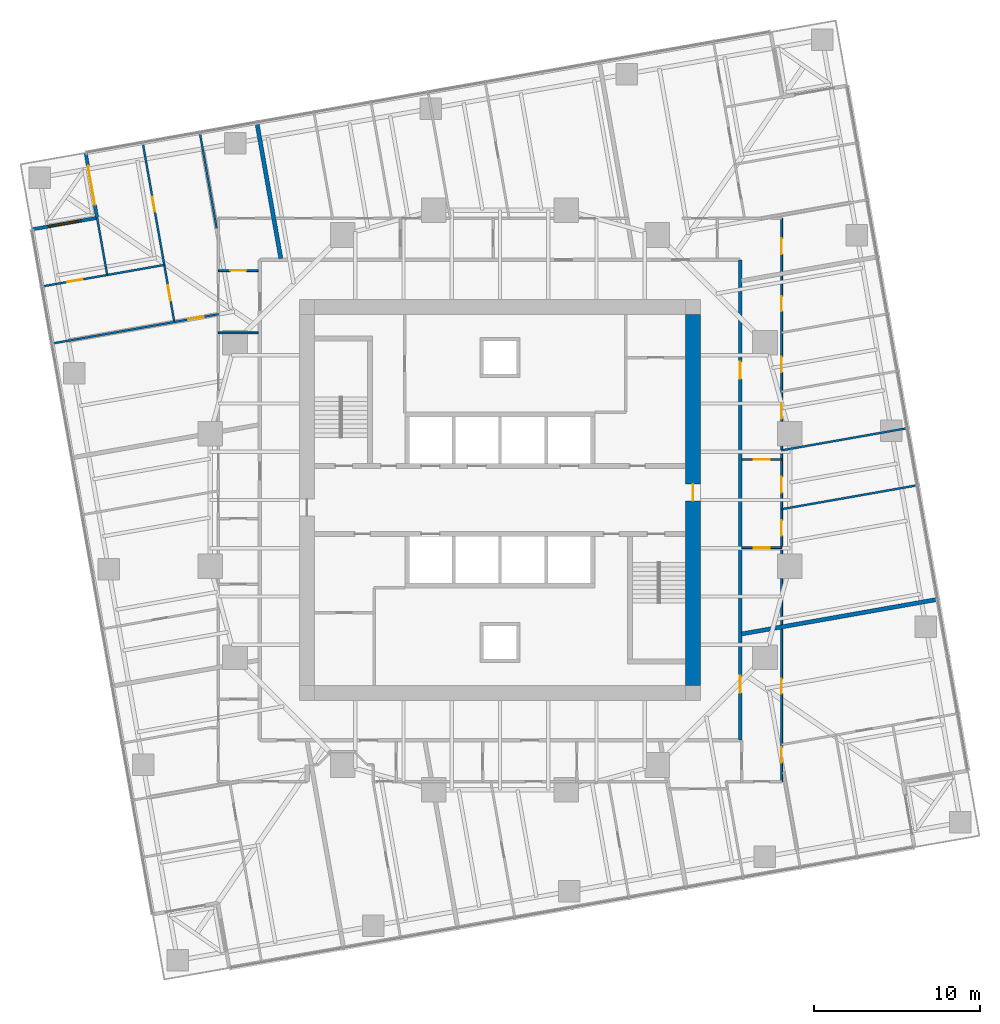
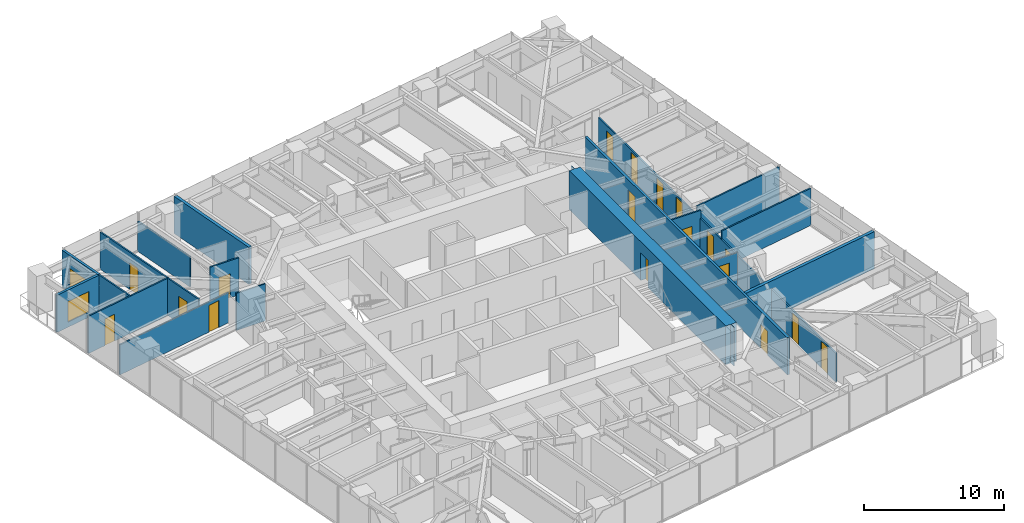
# One storey, part 11 of 14: 19 doors, 18 walls, 1 window, 20 openings.
"""IFC4 building model written with IfcOpenShell, lengths in metres."""

from ifc_helpers import new_model, si_unit, direction, frame, frame_2d, origin, place, context, subcontext, project, spatial, polyline, rectangle, outline, extrude, material, layer, layer_set, type_object, element, fill, save


model = new_model("IFC4")

# Units and contexts
model_context = context("Model", 3, precision=1e-05, world=origin(), true_north=direction((0.0, 1.0)))
body_context = subcontext(model_context, "Body", "Model", "MODEL_VIEW")
ifc_project = project(units=[si_unit("LENGTHUNIT", "METRE"), si_unit("AREAUNIT", "SQUARE_METRE"), si_unit("VOLUMEUNIT", "CUBIC_METRE"), si_unit("PLANEANGLEUNIT", "RADIAN"), si_unit("MASSUNIT", "GRAM", prefix="KILO")], contexts=[model_context])

# Site, building, storey
site_placement = place(None, origin())
site = spatial("IfcSite", under=ifc_project, at=site_placement, CompositionType="ELEMENT")
building_placement = place(site_placement, origin())
building = spatial("IfcBuilding", under=site, at=building_placement, Name="Torsade Residences", CompositionType="ELEMENT")
storey_placement = place(building_placement, frame((0.0, 0.0, 82.800048828125)))
storey = spatial("IfcBuildingStorey", under=building, at=storey_placement, Name="L22", CompositionType="ELEMENT", Elevation=82.800048828125)

# Wall, opening, door
ifc_material_1 = material(Name="Concrete 80 MPa", Category="concrete")
ifc_layer_1 = layer(ifc_material_1, 0.89990234375)
ifc_layer_set_1 = layer_set([ifc_layer_1], Name="Concrete 80 MPa")
wall_type_1 = type_object("IfcWallType", Name="CORE WALL 900", PredefinedType="SHEAR", material=ifc_layer_set_1)
wall_1_placement = place(storey_placement, frame((51.64990234375, 18.800048828125, 0.0), z_axis=(0.0, 0.0, 1.0), x_axis=(0.0, 1.0, 0.0)))
wall_1 = element("IfcWall", 1, at=wall_1_placement, inside=storey, type_object=wall_type_1, Name="Core wall E L22", PredefinedType="SHEAR", context=body_context, shape_type="SweptSolid", body=[
    extrude(outline(polyline([(0.0, -0.449951171875), (22.39990234375, -0.449951171875), (22.39990234375, -0.02490234375), (22.849853515625, -0.02490234375), (22.849853515625, 0.02490234375), (22.39990234375, 0.02490234375), (22.39990234375, 0.449951171875), (0.0, 0.449951171875), (0.0, 0.02490234375), (-0.449951171875, 0.02490234375), (-0.449951171875, -0.02490234375), (0.0, -0.02490234375), (0.0, -0.449951171875)])), origin(), (0.0, 0.0, 1.0), 3.39990234375),
])
opening_1_placement = place(wall_1_placement, frame((11.139892578125, 0.0, 0.0)))
opening_1 = element("IfcOpeningElement", 2, at=opening_1_placement, cuts=wall_1, Name="Opening D04", PredefinedType="OPENING", context=body_context, shape_type="SweptSolid", body=[
    extrude(rectangle(XDim=1.02001953125, YDim=2.39990234375, at=frame_2d((0.510009765625, 1.199951171875))), frame((0.0, 0.4599609375, 0.0), z_axis=(0.0, -1.0, 0.0), x_axis=(1.0, 0.0, 0.0)), (0.0, 0.0, 1.0), 0.919921875),
])
ifc_material_2 = material(Name="Steel-framed fire door", Category="steel")
door_type_1 = type_object("IfcDoorType", Name="LOBBY SMOKE DOOR 1020x2400", OperationType="NOTDEFINED", PredefinedType="DOOR", material=ifc_material_2)
door_1_placement = place(opening_1_placement, origin())
door_1 = element("IfcDoor", 3, at=door_1_placement, inside=storey, type_object=door_type_1, Name="Lift lobby door E L22", OperationType="SINGLE_SWING_LEFT", OverallHeight=2.39990234375, OverallWidth=1.02001953125, PredefinedType="DOOR", context=body_context, shape_type="SweptSolid", body=[
    extrude(rectangle(XDim=1.02001953125, YDim=2.39990234375, at=frame_2d((0.510009765625, 1.199951171875))), frame((0.0, 0.02490234375, 0.0), z_axis=(0.0, -1.0, 0.0), x_axis=(1.0, 0.0, 0.0)), (0.0, 0.0, 1.0), 0.050048828125),
])
fill(opening_1, door_1)

# Wall, openings, doors
ifc_material_3 = material(Name="Plasterboard on steel stud", Category="steel")
ifc_layer_2 = layer(ifc_material_3, 0.199951171875)
ifc_layer_set_2 = layer_set([ifc_layer_2], Name="Plasterboard on steel stud")
wall_type_2 = type_object("IfcWallType", Name="CORRIDOR WALL 200", PredefinedType="PARTITIONING", material=ifc_layer_set_2)
wall_2_placement = place(storey_placement, frame((54.5, 15.5, 0.0), z_axis=(0.0, 0.0, 1.0), x_axis=(0.0, 1.0, 0.0)))
wall_2 = element("IfcWall", 4, at=wall_2_placement, inside=storey, type_object=wall_type_2, Name="Corridor wall L22", PredefinedType="PARTITIONING", context=body_context, shape_type="SweptSolid", body=[
    extrude(rectangle(XDim=29.0, YDim=0.199951171875, at=frame_2d((14.5, 0.0))), origin(), (0.0, 0.0, 1.0), 3.25),
])
opening_2_placement = place(wall_2_placement, frame((21.8154296875, 0.0, 0.0)))
opening_2 = element("IfcOpeningElement", 5, at=opening_2_placement, cuts=wall_2, Name="Opening D01", PredefinedType="OPENING", context=body_context, shape_type="SweptSolid", body=[
    extrude(rectangle(XDim=1.02001953125, YDim=2.340087890625, at=frame_2d((0.510009765625, 1.169921875))), frame((0.0, 0.10986328125, 0.0), z_axis=(0.0, -1.0, 0.0), x_axis=(1.0, 0.0, 0.0)), (0.0, 0.0, 1.0), 0.219970703125),
])
opening_3_placement = place(wall_2_placement, frame((2.85546875, 0.0, 0.0)))
opening_3 = element("IfcOpeningElement", 6, at=opening_3_placement, cuts=wall_2, Name="Opening D01L", PredefinedType="OPENING", context=body_context, shape_type="SweptSolid", body=[
    extrude(rectangle(XDim=1.02001953125, YDim=2.10009765625, at=frame_2d((0.510009765625, 1.050048828125))), frame((0.0, 0.10986328125, 0.0), z_axis=(0.0, -1.0, 0.0), x_axis=(1.0, 0.0, 0.0)), (0.0, 0.0, 1.0), 0.219970703125),
])
ifc_material_4 = material(Name="Solid-core timber fire door", Category="wood")
door_type_2 = type_object("IfcDoorType", Name="APARTMENT ENTRY DOOR 1020x2100", OperationType="NOTDEFINED", PredefinedType="DOOR", material=ifc_material_4)
door_2_placement = place(opening_3_placement, origin())
door_2 = element("IfcDoor", 7, at=door_2_placement, inside=storey, type_object=door_type_2, Name="Door Residential corridor to Kitchen and dining", OperationType="SINGLE_SWING_LEFT", OverallHeight=2.10009765625, OverallWidth=1.02001953125, PredefinedType="DOOR", context=body_context, shape_type="SweptSolid", body=[
    extrude(rectangle(XDim=1.02001953125, YDim=2.10009765625, at=frame_2d((0.510009765625, 1.050048828125))), frame((0.0, 0.02490234375, 0.0), z_axis=(0.0, -1.0, 0.0), x_axis=(1.0, 0.0, 0.0)), (0.0, 0.0, 1.0), 0.050048828125),
])
fill(opening_3, door_2)
ifc_material_5 = material(Name="Solid-core timber fire door", Category="wood")
door_type_3 = type_object("IfcDoorType", Name="APARTMENT ENTRY DOOR 1020x2340", OperationType="NOTDEFINED", PredefinedType="DOOR", material=ifc_material_5)
door_3_placement = place(opening_2_placement, origin())
door_3 = element("IfcDoor", 8, at=door_3_placement, inside=storey, type_object=door_type_3, Name="Door Residential corridor to Kitchen and dining", OperationType="SINGLE_SWING_LEFT", OverallHeight=2.340087890625, OverallWidth=1.02001953125, PredefinedType="DOOR", context=body_context, shape_type="SweptSolid", body=[
    extrude(rectangle(XDim=1.02001953125, YDim=2.340087890625, at=frame_2d((0.510009765625, 1.169921875))), frame((0.0, 0.02490234375, 0.0), z_axis=(0.0, -1.0, 0.0), x_axis=(1.0, 0.0, 0.0)), (0.0, 0.0, 1.0), 0.050048828125),
])
fill(opening_2, door_3)

ifc_material_6 = material(Name="Plasterboard on steel stud", Category="steel")
ifc_layer_3 = layer(ifc_material_6, 0.1201171875)
ifc_layer_set_3 = layer_set([ifc_layer_3], Name="Plasterboard on steel stud")
wall_type_3 = type_object("IfcWallType", Name="PARTITION 120", PredefinedType="PARTITIONING", material=ifc_layer_set_3)
wall_3_placement = place(storey_placement, frame((57.0, 47.0, 0.0), z_axis=(0.0, 0.0, 1.0), x_axis=(0.0, -1.0, 0.0)))
wall_3 = element("IfcWall", 9, at=wall_3_placement, inside=storey, type_object=wall_type_3, Name="Partition L22", PredefinedType="PARTITIONING", context=body_context, shape_type="SweptSolid", body=[
    extrude(rectangle(XDim=34.0, YDim=0.1201171875, at=frame_2d((17.0, 0.0))), origin(), (0.0, 0.0, 1.0), 2.550048828125),
])
opening_4_placement = place(wall_3_placement, frame((8.361328125, 0.0, 0.0)))
opening_4 = element("IfcOpeningElement", 10, at=opening_4_placement, cuts=wall_3, Name="Opening D02", PredefinedType="OPENING", context=body_context, shape_type="SweptSolid", body=[
    extrude(rectangle(XDim=0.919921875, YDim=2.340087890625, at=frame_2d((0.4599609375, 1.169921875))), frame((0.0, 0.070068359375, 0.0), z_axis=(0.0, -1.0, 0.0), x_axis=(1.0, 0.0, 0.0)), (0.0, 0.0, 1.0), 0.14013671875),
])
opening_5_placement = place(wall_3_placement, frame((11.16552734375, 0.0, 0.0)))
opening_5 = element("IfcOpeningElement", 11, at=opening_5_placement, cuts=wall_3, Name="Opening D02", PredefinedType="OPENING", context=body_context, shape_type="SweptSolid", body=[
    extrude(rectangle(XDim=0.919921875, YDim=2.340087890625, at=frame_2d((0.4599609375, 1.169921875))), frame((0.0, 0.070068359375, 0.0), z_axis=(0.0, -1.0, 0.0), x_axis=(1.0, 0.0, 0.0)), (0.0, 0.0, 1.0), 0.14013671875),
])
opening_6_placement = place(wall_3_placement, frame((4.682861328125, 0.0, 0.0)))
opening_6 = element("IfcOpeningElement", 12, at=opening_6_placement, cuts=wall_3, Name="Opening D02", PredefinedType="OPENING", context=body_context, shape_type="SweptSolid", body=[
    extrude(rectangle(XDim=0.919921875, YDim=2.340087890625, at=frame_2d((0.4599609375, 1.169921875))), frame((0.0, 0.070068359375, 0.0), z_axis=(0.0, -1.0, 0.0), x_axis=(1.0, 0.0, 0.0)), (0.0, 0.0, 1.0), 0.14013671875),
])
opening_7_placement = place(wall_3_placement, frame((27.78369140625, 0.0, 0.0)))
opening_7 = element("IfcOpeningElement", 13, at=opening_7_placement, cuts=wall_3, Name="Opening D02", PredefinedType="OPENING", context=body_context, shape_type="SweptSolid", body=[
    extrude(rectangle(XDim=0.919921875, YDim=2.340087890625, at=frame_2d((0.4599609375, 1.169921875))), frame((0.0, 0.070068359375, 0.0), z_axis=(0.0, -1.0, 0.0), x_axis=(1.0, 0.0, 0.0)), (0.0, 0.0, 1.0), 0.14013671875),
])
opening_8_placement = place(wall_3_placement, frame((31.939208984375, 0.0, 0.0)))
opening_8 = element("IfcOpeningElement", 14, at=opening_8_placement, cuts=wall_3, Name="Opening D02", PredefinedType="OPENING", context=body_context, shape_type="SweptSolid", body=[
    extrude(rectangle(XDim=0.919921875, YDim=2.340087890625, at=frame_2d((0.4599609375, 1.169921875))), frame((0.0, 0.070068359375, 0.0), z_axis=(0.0, -1.0, 0.0), x_axis=(1.0, 0.0, 0.0)), (0.0, 0.0, 1.0), 0.14013671875),
])
opening_9_placement = place(wall_3_placement, frame((15.600830078125, 0.0, 0.0)))
opening_9 = element("IfcOpeningElement", 15, at=opening_9_placement, cuts=wall_3, Name="Opening D05", PredefinedType="OPENING", context=body_context, shape_type="SweptSolid", body=[
    extrude(rectangle(XDim=0.9599609375, YDim=2.10009765625, at=frame_2d((0.47998046875, 1.050048828125))), frame((0.0, 0.070068359375, 0.0), z_axis=(0.0, -1.0, 0.0), x_axis=(1.0, 0.0, 0.0)), (0.0, 0.0, 1.0), 0.14013671875),
])
opening_10_placement = place(wall_3_placement, frame((18.209716796875, 0.0, 0.0)))
opening_10 = element("IfcOpeningElement", 16, at=opening_10_placement, cuts=wall_3, Name="Opening D05", PredefinedType="OPENING", context=body_context, shape_type="SweptSolid", body=[
    extrude(rectangle(XDim=0.9599609375, YDim=2.10009765625, at=frame_2d((0.47998046875, 1.050048828125))), frame((0.0, 0.070068359375, 0.0), z_axis=(0.0, -1.0, 0.0), x_axis=(1.0, 0.0, 0.0)), (0.0, 0.0, 1.0), 0.14013671875),
])
opening_11_placement = place(wall_3_placement, frame((1.190185546875, 0.0, 0.0)))
opening_11 = element("IfcOpeningElement", 17, at=opening_11_placement, cuts=wall_3, Name="Opening D05", PredefinedType="OPENING", context=body_context, shape_type="SweptSolid", body=[
    extrude(rectangle(XDim=0.9599609375, YDim=2.10009765625, at=frame_2d((0.47998046875, 1.050048828125))), frame((0.0, 0.070068359375, 0.0), z_axis=(0.0, -1.0, 0.0), x_axis=(1.0, 0.0, 0.0)), (0.0, 0.0, 1.0), 0.14013671875),
])
ifc_material_7 = material(Name="Hollow-core timber door in a steel cavity frame", Category="steel")
door_type_4 = type_object("IfcDoorType", Name="BATHROOM CAVITY SLIDING DOOR 960", OperationType="SLIDING_TO_LEFT", PredefinedType="DOOR", material=ifc_material_7)
door_4_placement = place(opening_9_placement, origin())
door_4 = element("IfcDoor", 18, at=door_4_placement, inside=storey, type_object=door_type_4, Name="Door Bathroom to Bedroom 1", OperationType="SLIDING_TO_LEFT", OverallHeight=2.10009765625, OverallWidth=0.9599609375, PredefinedType="DOOR", context=body_context, shape_type="SweptSolid", body=[
    extrude(rectangle(XDim=0.9599609375, YDim=2.10009765625, at=frame_2d((0.47998046875, 1.050048828125))), frame((0.0, 0.02490234375, 0.0), z_axis=(0.0, -1.0, 0.0), x_axis=(1.0, 0.0, 0.0)), (0.0, 0.0, 1.0), 0.050048828125),
])
fill(opening_9, door_4)
door_5_placement = place(opening_10_placement, origin())
door_5 = element("IfcDoor", 19, at=door_5_placement, inside=storey, type_object=door_type_4, Name="Door Bathroom to Living room", OperationType="SLIDING_TO_LEFT", OverallHeight=2.10009765625, OverallWidth=0.9599609375, PredefinedType="DOOR", context=body_context, shape_type="SweptSolid", body=[
    extrude(rectangle(XDim=0.9599609375, YDim=2.10009765625, at=frame_2d((0.47998046875, 1.050048828125))), frame((0.0, 0.02490234375, 0.0), z_axis=(0.0, -1.0, 0.0), x_axis=(1.0, 0.0, 0.0)), (0.0, 0.0, 1.0), 0.050048828125),
])
fill(opening_10, door_5)
door_6_placement = place(opening_11_placement, origin())
door_6 = element("IfcDoor", 20, at=door_6_placement, inside=storey, type_object=door_type_4, Name="Door Bathroom to Study", OperationType="SLIDING_TO_LEFT", OverallHeight=2.10009765625, OverallWidth=0.9599609375, PredefinedType="DOOR", context=body_context, shape_type="SweptSolid", body=[
    extrude(rectangle(XDim=0.9599609375, YDim=2.10009765625, at=frame_2d((0.47998046875, 1.050048828125))), frame((0.0, 0.02490234375, 0.0), z_axis=(0.0, -1.0, 0.0), x_axis=(1.0, 0.0, 0.0)), (0.0, 0.0, 1.0), 0.050048828125),
])
fill(opening_11, door_6)
ifc_material_8 = material(Name="Hollow-core timber door", Category="wood")
door_type_5 = type_object("IfcDoorType", Name="INTERNAL DOOR 920x2340", OperationType="NOTDEFINED", PredefinedType="DOOR", material=ifc_material_8)
door_7_placement = place(opening_4_placement, origin())
door_7 = element("IfcDoor", 21, at=door_7_placement, inside=storey, type_object=door_type_5, Name="Door Kitchen and dining to Study", OperationType="SINGLE_SWING_RIGHT", OverallHeight=2.340087890625, OverallWidth=0.919921875, PredefinedType="DOOR", context=body_context, shape_type="SweptSolid", body=[
    extrude(rectangle(XDim=0.919921875, YDim=2.340087890625, at=frame_2d((0.4599609375, 1.169921875))), frame((0.0, 0.02490234375, 0.0), z_axis=(0.0, -1.0, 0.0), x_axis=(1.0, 0.0, 0.0)), (0.0, 0.0, 1.0), 0.050048828125),
])
fill(opening_4, door_7)
door_8_placement = place(opening_5_placement, origin())
door_8 = element("IfcDoor", 22, at=door_8_placement, inside=storey, type_object=door_type_5, Name="Door Kitchen and dining to Bedroom 2", OperationType="SINGLE_SWING_RIGHT", OverallHeight=2.340087890625, OverallWidth=0.919921875, PredefinedType="DOOR", context=body_context, shape_type="SweptSolid", body=[
    extrude(rectangle(XDim=0.919921875, YDim=2.340087890625, at=frame_2d((0.4599609375, 1.169921875))), frame((0.0, 0.02490234375, 0.0), z_axis=(0.0, -1.0, 0.0), x_axis=(1.0, 0.0, 0.0)), (0.0, 0.0, 1.0), 0.050048828125),
])
fill(opening_5, door_8)
door_9_placement = place(opening_6_placement, origin())
door_9 = element("IfcDoor", 23, at=door_9_placement, inside=storey, type_object=door_type_5, Name="Door Kitchen and dining to Family room", OperationType="SINGLE_SWING_LEFT", OverallHeight=2.340087890625, OverallWidth=0.919921875, PredefinedType="DOOR", context=body_context, shape_type="SweptSolid", body=[
    extrude(rectangle(XDim=0.919921875, YDim=2.340087890625, at=frame_2d((0.4599609375, 1.169921875))), frame((0.0, 0.02490234375, 0.0), z_axis=(0.0, -1.0, 0.0), x_axis=(1.0, 0.0, 0.0)), (0.0, 0.0, 1.0), 0.050048828125),
])
fill(opening_6, door_9)
door_10_placement = place(opening_7_placement, origin())
door_10 = element("IfcDoor", 24, at=door_10_placement, inside=storey, type_object=door_type_5, Name="Door Kitchen and dining to Living room", OperationType="SINGLE_SWING_LEFT", OverallHeight=2.340087890625, OverallWidth=0.919921875, PredefinedType="DOOR", context=body_context, shape_type="SweptSolid", body=[
    extrude(rectangle(XDim=0.919921875, YDim=2.340087890625, at=frame_2d((0.4599609375, 1.169921875))), frame((0.0, 0.02490234375, 0.0), z_axis=(0.0, -1.0, 0.0), x_axis=(1.0, 0.0, 0.0)), (0.0, 0.0, 1.0), 0.050048828125),
])
fill(opening_7, door_10)
door_11_placement = place(opening_8_placement, origin())
door_11 = element("IfcDoor", 25, at=door_11_placement, inside=storey, type_object=door_type_5, Name="Door Kitchen and dining to Bedroom 2", OperationType="SINGLE_SWING_LEFT", OverallHeight=2.340087890625, OverallWidth=0.919921875, PredefinedType="DOOR", context=body_context, shape_type="SweptSolid", body=[
    extrude(rectangle(XDim=0.919921875, YDim=2.340087890625, at=frame_2d((0.4599609375, 1.169921875))), frame((0.0, 0.02490234375, 0.0), z_axis=(0.0, -1.0, 0.0), x_axis=(1.0, 0.0, 0.0)), (0.0, 0.0, 1.0), 0.050048828125),
])
fill(opening_8, door_11)

# Wall, opening, door
wall_4_placement = place(storey_placement, frame((57.0, 32.44580078125, 0.0), z_axis=(0.0, 0.0, 1.0), x_axis=(-1.0, 0.0, 0.0)))
wall_4 = element("IfcWall", 26, at=wall_4_placement, inside=storey, type_object=wall_type_3, Name="Partition L22", PredefinedType="PARTITIONING", context=body_context, shape_type="SweptSolid", body=[
    extrude(rectangle(XDim=2.39990234375, YDim=0.1201171875, at=frame_2d((1.199951171875, 0.0))), origin(), (0.0, 0.0, 1.0), 3.25),
])
opening_12_placement = place(wall_4_placement, frame((0.719970703125, 0.0, 0.0)))
opening_12 = element("IfcOpeningElement", 27, at=opening_12_placement, cuts=wall_4, Name="Opening D05", PredefinedType="OPENING", context=body_context, shape_type="SweptSolid", body=[
    extrude(rectangle(XDim=0.9599609375, YDim=2.10009765625, at=frame_2d((0.47998046875, 1.050048828125))), frame((0.0, 0.070068359375, 0.0), z_axis=(0.0, -1.0, 0.0), x_axis=(1.0, 0.0, 0.0)), (0.0, 0.0, 1.0), 0.14013671875),
])
door_12_placement = place(opening_12_placement, origin())
door_12 = element("IfcDoor", 28, at=door_12_placement, inside=storey, type_object=door_type_4, Name="Door Kitchen and dining to Bathroom", OperationType="SLIDING_TO_LEFT", OverallHeight=2.10009765625, OverallWidth=0.9599609375, PredefinedType="DOOR", context=body_context, shape_type="SweptSolid", body=[
    extrude(rectangle(XDim=0.9599609375, YDim=2.10009765625, at=frame_2d((0.47998046875, 1.050048828125))), frame((0.0, 0.02490234375, 0.0), z_axis=(0.0, -1.0, 0.0), x_axis=(1.0, 0.0, 0.0)), (0.0, 0.0, 1.0), 0.050048828125),
])
fill(opening_12, door_12)

wall_5_placement = place(storey_placement, frame((57.0, 27.126220703125, 0.0), z_axis=(0.0, 0.0, 1.0), x_axis=(-1.0, 0.0, 0.0)))
wall_5 = element("IfcWall", 29, at=wall_5_placement, inside=storey, type_object=wall_type_3, Name="Partition L22", PredefinedType="PARTITIONING", context=body_context, shape_type="SweptSolid", body=[
    extrude(rectangle(XDim=2.39990234375, YDim=0.1201171875, at=frame_2d((1.199951171875, 0.0))), origin(), (0.0, 0.0, 1.0), 2.794921875),
])
opening_13_placement = place(wall_5_placement, frame((0.719970703125, 0.0, 0.0)))
opening_13 = element("IfcOpeningElement", 30, at=opening_13_placement, cuts=wall_5, Name="Opening D05", PredefinedType="OPENING", context=body_context, shape_type="SweptSolid", body=[
    extrude(rectangle(XDim=0.9599609375, YDim=2.10009765625, at=frame_2d((0.47998046875, 1.050048828125))), frame((0.0, 0.070068359375, 0.0), z_axis=(0.0, -1.0, 0.0), x_axis=(1.0, 0.0, 0.0)), (0.0, 0.0, 1.0), 0.14013671875),
])
door_13_placement = place(opening_13_placement, origin())
door_13 = element("IfcDoor", 31, at=door_13_placement, inside=storey, type_object=door_type_4, Name="Door Bathroom to Ensuite", OperationType="SLIDING_TO_LEFT", OverallHeight=2.10009765625, OverallWidth=0.9599609375, PredefinedType="DOOR", context=body_context, shape_type="SweptSolid", body=[
    extrude(rectangle(XDim=0.9599609375, YDim=2.10009765625, at=frame_2d((0.47998046875, 1.050048828125))), frame((0.0, 0.02490234375, 0.0), z_axis=(0.0, -1.0, 0.0), x_axis=(1.0, 0.0, 0.0)), (0.0, 0.0, 1.0), 0.050048828125),
])
fill(opening_13, door_13)

# Walls
wall_6_placement = place(storey_placement, frame((57.0, 29.443603515625, 0.0), z_axis=(0.0, 0.0, 1.0), x_axis=(0.984807787824, 0.173647980238, 0.0)))
element("IfcWall", 32, at=wall_6_placement, inside=storey, type_object=wall_type_3, Name="Partition L22", PredefinedType="PARTITIONING", context=body_context, shape_type="SweptSolid", body=[
    extrude(rectangle(XDim=8.314697265625, YDim=0.1201171875, at=frame_2d((4.1572265625, 0.0))), origin(), (0.0, 0.0, 1.0), 3.25),
])
wall_7_placement = place(storey_placement, frame((57.0, 32.99755859375, 0.0), z_axis=(0.0, 0.0, 1.0), x_axis=(0.984808453088, 0.173644207293, 0.0)))
element("IfcWall", 33, at=wall_7_placement, inside=storey, type_object=wall_type_3, Name="Partition L22", PredefinedType="PARTITIONING", context=body_context, shape_type="SweptSolid", body=[
    extrude(rectangle(XDim=7.69775390625, YDim=0.1201171875, at=frame_2d((3.848876953125, 0.0))), origin(), (0.0, 0.0, 1.0), 3.25),
])
wall_8_placement = place(storey_placement, frame((25.39990234375, 40.088134765625, 0.0), z_axis=(0.0, 0.0, 1.0), x_axis=(-1.0, 0.0, 0.0)))
element("IfcWall", 34, at=wall_8_placement, inside=storey, type_object=wall_type_3, Name="Partition L22", PredefinedType="PARTITIONING", context=body_context, shape_type="SweptSolid", body=[
    extrude(rectangle(XDim=2.39990234375, YDim=0.1201171875, at=frame_2d((1.199951171875, 0.0))), origin(), (0.0, 0.0, 1.0), 3.25),
])

# Wall, opening, door
wall_9_placement = place(storey_placement, frame((23.0, 43.85595703125, 0.0), z_axis=(0.0, 0.0, 1.0), x_axis=(1.0, 0.0, 0.0)))
wall_9 = element("IfcWall", 35, at=wall_9_placement, inside=storey, type_object=wall_type_3, Name="Partition L22", PredefinedType="PARTITIONING", context=body_context, shape_type="SweptSolid", body=[
    extrude(rectangle(XDim=2.39990234375, YDim=0.1201171875, at=frame_2d((1.199951171875, 0.0))), origin(), (0.0, 0.0, 1.0), 3.25),
])
opening_14_placement = place(wall_9_placement, frame((0.719970703125, 0.0, 0.0)))
opening_14 = element("IfcOpeningElement", 36, at=opening_14_placement, cuts=wall_9, Name="Opening D05", PredefinedType="OPENING", context=body_context, shape_type="SweptSolid", body=[
    extrude(rectangle(XDim=0.9599609375, YDim=2.10009765625, at=frame_2d((0.47998046875, 1.050048828125))), frame((0.0, 0.070068359375, 0.0), z_axis=(0.0, -1.0, 0.0), x_axis=(1.0, 0.0, 0.0)), (0.0, 0.0, 1.0), 0.14013671875),
])
door_14_placement = place(opening_14_placement, origin())
door_14 = element("IfcDoor", 37, at=door_14_placement, inside=storey, type_object=door_type_4, Name="Door Kitchen and dining to WC", OperationType="SLIDING_TO_LEFT", OverallHeight=2.10009765625, OverallWidth=0.9599609375, PredefinedType="DOOR", context=body_context, shape_type="SweptSolid", body=[
    extrude(rectangle(XDim=0.9599609375, YDim=2.10009765625, at=frame_2d((0.47998046875, 1.050048828125))), frame((0.0, 0.02490234375, 0.0), z_axis=(0.0, -1.0, 0.0), x_axis=(1.0, 0.0, 0.0)), (0.0, 0.0, 1.0), 0.050048828125),
])
fill(opening_14, door_14)

wall_10_placement = place(storey_placement, frame((12.988037109375, 39.453125, 0.0), z_axis=(0.0, 0.0, 1.0), x_axis=(0.984807724889, 0.173648337162, 0.0)))
wall_10 = element("IfcWall", 38, at=wall_10_placement, inside=storey, type_object=wall_type_3, Name="Partition L22", PredefinedType="PARTITIONING", context=body_context, shape_type="SweptSolid", body=[
    extrude(rectangle(XDim=10.16650390625, YDim=0.1201171875, at=frame_2d((5.083251953125, 0.0))), origin(), (0.0, 0.0, 1.0), 2.637939453125),
])
opening_15_placement = place(wall_10_placement, frame((8.328125, 0.0, 0.0)))
opening_15 = element("IfcOpeningElement", 39, at=opening_15_placement, cuts=wall_10, Name="Opening D02", PredefinedType="OPENING", context=body_context, shape_type="SweptSolid", body=[
    extrude(rectangle(XDim=0.919921875, YDim=2.340087890625, at=frame_2d((0.4599609375, 1.169921875))), frame((0.0, 0.070068359375, 0.0), z_axis=(0.0, -1.0, 0.0), x_axis=(1.0, 0.0, 0.0)), (0.0, 0.0, 1.0), 0.14013671875),
])
door_15_placement = place(opening_15_placement, origin())
door_15 = element("IfcDoor", 40, at=door_15_placement, inside=storey, type_object=door_type_5, Name="Door Bedroom 1 to Living room", OperationType="SINGLE_SWING_LEFT", OverallHeight=2.340087890625, OverallWidth=0.919921875, PredefinedType="DOOR", context=body_context, shape_type="SweptSolid", body=[
    extrude(rectangle(XDim=0.919921875, YDim=2.340087890625, at=frame_2d((0.4599609375, 1.169921875))), frame((0.0, 0.02490234375, 0.0), z_axis=(0.0, -1.0, 0.0), x_axis=(1.0, 0.0, 0.0)), (0.0, 0.0, 1.0), 0.050048828125),
])
fill(opening_15, door_15)

# Wall, openings, doors
wall_11_placement = place(storey_placement, frame((20.334716796875, 40.74853515625, 0.0), z_axis=(0.0, 0.0, 1.0), x_axis=(-0.173639194339, 0.984809336973, 0.0)))
wall_11 = element("IfcWall", 41, at=wall_11_placement, inside=storey, type_object=wall_type_3, Name="Partition L22", PredefinedType="PARTITIONING", context=body_context, shape_type="SweptSolid", body=[
    extrude(rectangle(XDim=10.9599609375, YDim=0.1201171875, at=frame_2d((5.47998046875, 0.0))), origin(), (0.0, 0.0, 1.0), 3.25),
])
opening_16_placement = place(wall_11_placement, frame((6.764892578125, 0.0, 0.0)))
opening_16 = element("IfcOpeningElement", 42, at=opening_16_placement, cuts=wall_11, Name="Opening D02", PredefinedType="OPENING", context=body_context, shape_type="SweptSolid", body=[
    extrude(rectangle(XDim=0.919921875, YDim=2.340087890625, at=frame_2d((0.4599609375, 1.169921875))), frame((0.0, 0.070068359375, 0.0), z_axis=(0.0, -1.0, 0.0), x_axis=(1.0, 0.0, 0.0)), (0.0, 0.0, 1.0), 0.14013671875),
])
opening_17_placement = place(wall_11_placement, frame((1.31494140625, 0.0, 0.0)))
opening_17 = element("IfcOpeningElement", 43, at=opening_17_placement, cuts=wall_11, Name="Opening D02", PredefinedType="OPENING", context=body_context, shape_type="SweptSolid", body=[
    extrude(rectangle(XDim=0.919921875, YDim=2.340087890625, at=frame_2d((0.4599609375, 1.169921875))), frame((0.0, 0.070068359375, 0.0), z_axis=(0.0, -1.0, 0.0), x_axis=(1.0, 0.0, 0.0)), (0.0, 0.0, 1.0), 0.14013671875),
])
door_16_placement = place(opening_16_placement, origin())
door_16 = element("IfcDoor", 44, at=door_16_placement, inside=storey, type_object=door_type_5, Name="Door Bedroom 1 to Study", OperationType="SINGLE_SWING_RIGHT", OverallHeight=2.340087890625, OverallWidth=0.919921875, PredefinedType="DOOR", context=body_context, shape_type="SweptSolid", body=[
    extrude(rectangle(XDim=0.919921875, YDim=2.340087890625, at=frame_2d((0.4599609375, 1.169921875))), frame((0.0, 0.02490234375, 0.0), z_axis=(0.0, -1.0, 0.0), x_axis=(1.0, 0.0, 0.0)), (0.0, 0.0, 1.0), 0.050048828125),
])
fill(opening_16, door_16)
door_17_placement = place(opening_17_placement, origin())
door_17 = element("IfcDoor", 45, at=door_17_placement, inside=storey, type_object=door_type_5, Name="Door Bedroom 1 to Bedroom 2", OperationType="SINGLE_SWING_RIGHT", OverallHeight=2.340087890625, OverallWidth=0.919921875, PredefinedType="DOOR", context=body_context, shape_type="SweptSolid", body=[
    extrude(rectangle(XDim=0.919921875, YDim=2.340087890625, at=frame_2d((0.4599609375, 1.169921875))), frame((0.0, 0.02490234375, 0.0), z_axis=(0.0, -1.0, 0.0), x_axis=(1.0, 0.0, 0.0)), (0.0, 0.0, 1.0), 0.050048828125),
])
fill(opening_17, door_17)

# Wall
wall_12_placement = place(storey_placement, frame((21.87841796875, 52.149658203125, 0.0), z_axis=(0.0, 0.0, 1.0), x_axis=(0.173634707655, -0.984810128044, 0.0)))
element("IfcWall", 46, at=wall_12_placement, inside=storey, type_object=wall_type_3, Name="Partition L22", PredefinedType="PARTITIONING", context=body_context, shape_type="SweptSolid", body=[
    extrude(rectangle(XDim=5.8251953125, YDim=0.1201171875, at=frame_2d((2.91259765625, 0.0))), origin(), (0.0, 0.0, 1.0), 2.637939453125),
])

# Wall, opening, door
wall_13_placement = place(storey_placement, frame((12.38037109375, 42.89990234375, 0.0), z_axis=(0.0, 0.0, 1.0), x_axis=(0.984807929323, 0.173647177755, 0.0)))
wall_13 = element("IfcWall", 47, at=wall_13_placement, inside=storey, type_object=wall_type_3, Name="Partition L22", PredefinedType="PARTITIONING", context=body_context, shape_type="SweptSolid", body=[
    extrude(rectangle(XDim=7.4599609375, YDim=0.1201171875, at=frame_2d((3.72998046875, 0.0))), origin(), (0.0, 0.0, 1.0), 3.25),
])
opening_18_placement = place(wall_13_placement, frame((1.525146484375, 0.0, 0.0)))
opening_18 = element("IfcOpeningElement", 48, at=opening_18_placement, cuts=wall_13, Name="Opening D02", PredefinedType="OPENING", context=body_context, shape_type="SweptSolid", body=[
    extrude(rectangle(XDim=0.919921875, YDim=2.340087890625, at=frame_2d((0.4599609375, 1.169921875))), frame((0.0, 0.070068359375, 0.0), z_axis=(0.0, -1.0, 0.0), x_axis=(1.0, 0.0, 0.0)), (0.0, 0.0, 1.0), 0.14013671875),
])
door_18_placement = place(opening_18_placement, origin())
door_18 = element("IfcDoor", 49, at=door_18_placement, inside=storey, type_object=door_type_5, Name="Door Bedroom 2 to Media room", OperationType="SINGLE_SWING_RIGHT", OverallHeight=2.340087890625, OverallWidth=0.919921875, PredefinedType="DOOR", context=body_context, shape_type="SweptSolid", body=[
    extrude(rectangle(XDim=0.919921875, YDim=2.340087890625, at=frame_2d((0.4599609375, 1.169921875))), frame((0.0, 0.02490234375, 0.0), z_axis=(0.0, -1.0, 0.0), x_axis=(1.0, 0.0, 0.0)), (0.0, 0.0, 1.0), 0.050048828125),
])
fill(opening_18, door_18)

# Walls
wall_14_placement = place(storey_placement, frame((16.2802734375, 43.587646484375, 0.0), z_axis=(0.0, 0.0, 1.0), x_axis=(-0.173660541335, 0.984805572884, 0.0)))
element("IfcWall", 50, at=wall_14_placement, inside=storey, type_object=wall_type_3, Name="Partition L22", PredefinedType="PARTITIONING", context=body_context, shape_type="SweptSolid", body=[
    extrude(rectangle(XDim=3.459716796875, YDim=0.1201171875, at=frame_2d((1.72998046875, 0.0))), origin(), (0.0, 0.0, 1.0), 3.25),
])
ifc_material_9 = material(Name="Masonry-lined stud party wall", Category="masonry")
ifc_layer_4 = layer(ifc_material_9, 0.25)
ifc_layer_set_4 = layer_set([ifc_layer_4], Name="Masonry-lined stud party wall")
wall_type_4 = type_object("IfcWallType", Name="PARTY WALL 250", PredefinedType="PARTITIONING", material=ifc_layer_set_4)
wall_15_placement = place(storey_placement, frame((66.443603515625, 24.000732421875, 0.0), z_axis=(0.0, 0.0, 1.0), x_axis=(-0.984806609184, -0.173654664517, 0.0)))
element("IfcWall", 51, at=wall_15_placement, inside=storey, type_object=wall_type_4, Name="Party wall L22", PredefinedType="PARTITIONING", context=body_context, shape_type="SweptSolid", body=[
    extrude(rectangle(XDim=12.04443359375, YDim=0.25, at=frame_2d((6.022216796875, 0.0))), origin(), (0.0, 0.0, 1.0), 3.25),
])
wall_16_placement = place(storey_placement, frame((25.318359375, 52.796875, 0.0), z_axis=(0.0, 0.0, 1.0), x_axis=(0.173651756605, -0.984807121942, 0.0)))
element("IfcWall", 52, at=wall_16_placement, inside=storey, type_object=wall_type_4, Name="Party wall L22", PredefinedType="PARTITIONING", context=body_context, shape_type="SweptSolid", body=[
    extrude(rectangle(XDim=8.34130859375, YDim=0.25, at=frame_2d((4.170654296875, 0.0))), origin(), (0.0, 0.0, 1.0), 3.25),
])

# Wall, opening, door
ifc_material_10 = material(Name="Stone-faced precast concrete 40 MPa panel", Category="masonry")
ifc_layer_5 = layer(ifc_material_10, 0.199951171875)
ifc_layer_set_5 = layer_set([ifc_layer_5], Name="Stone-faced precast concrete 40 MPa panel")
wall_type_5 = type_object("IfcWallType", Name="TERRACE WALL 200", PredefinedType="SOLIDWALL", material=ifc_layer_set_5)
wall_17_placement = place(storey_placement, frame((14.977783203125, 50.9736328125, 0.0), z_axis=(0.0, 0.0, 1.0), x_axis=(0.173646056486, -0.984808127031, 0.0)))
wall_17 = element("IfcWall", 53, at=wall_17_placement, inside=storey, type_object=wall_type_5, Name="Terrace wall L22 8", PredefinedType="SOLIDWALL", context=body_context, shape_type="SweptSolid", body=[
    extrude(rectangle(XDim=4.0, YDim=0.199951171875, at=frame_2d((2.0, 0.0))), origin(), (0.0, 0.0, 1.0), 3.25),
])
opening_19_placement = place(wall_17_placement, frame((0.800048828125, 0.0, 0.0)))
opening_19 = element("IfcOpeningElement", 54, at=opening_19_placement, cuts=wall_17, Name="Opening D10A", PredefinedType="OPENING", context=body_context, shape_type="SweptSolid", body=[
    extrude(rectangle(XDim=2.39990234375, YDim=2.10009765625, at=frame_2d((1.199951171875, 1.050048828125))), frame((0.0, 0.10986328125, 0.0), z_axis=(0.0, -1.0, 0.0), x_axis=(1.0, 0.0, 0.0)), (0.0, 0.0, 1.0), 0.219970703125),
])
ifc_material_11 = material(Name="Aluminium-framed glass door", Category="aluminium")
door_type_6 = type_object("IfcDoorType", Name="TERRACE SLIDING DOOR 2400x2100", OperationType="SLIDING_TO_LEFT", PredefinedType="DOOR", material=ifc_material_11)
door_19_placement = place(opening_19_placement, origin())
door_19 = element("IfcDoor", 55, at=door_19_placement, inside=storey, type_object=door_type_6, Name="Terrace door L22 8", OperationType="SLIDING_TO_LEFT", OverallHeight=2.10009765625, OverallWidth=2.39990234375, PredefinedType="DOOR", context=body_context, shape_type="SweptSolid", body=[
    extrude(rectangle(XDim=2.39990234375, YDim=2.10009765625, at=frame_2d((1.199951171875, 1.050048828125))), frame((0.0, 0.02490234375, 0.0), z_axis=(0.0, -1.0, 0.0), x_axis=(1.0, 0.0, 0.0)), (0.0, 0.0, 1.0), 0.050048828125),
])
fill(opening_19, door_19)

# Wall, opening, window
wall_18_placement = place(storey_placement, frame((15.67236328125, 47.034423828125, 0.0), z_axis=(0.0, 0.0, 1.0), x_axis=(-0.984808127031, -0.173646056486, 0.0)))
wall_18 = element("IfcWall", 56, at=wall_18_placement, inside=storey, type_object=wall_type_5, Name="Terrace wall L22 9", PredefinedType="SOLIDWALL", context=body_context, shape_type="SweptSolid", body=[
    extrude(rectangle(XDim=4.0, YDim=0.199951171875, at=frame_2d((2.0, 0.0))), origin(), (0.0, 0.0, 1.0), 3.25),
])
opening_20_placement = place(wall_18_placement, frame((1.0, 0.0, 0.449951171875)))
opening_20 = element("IfcOpeningElement", 57, at=opening_20_placement, cuts=wall_18, Name="Opening W1B", PredefinedType="OPENING", context=body_context, shape_type="SweptSolid", body=[
    extrude(rectangle(XDim=2.0, YDim=1.800048828125, at=frame_2d((1.0, 0.89990234375))), frame((0.0, 0.10986328125, 0.0), z_axis=(0.0, -1.0, 0.0), x_axis=(1.0, 0.0, 0.0)), (0.0, 0.0, 1.0), 0.219970703125),
])
ifc_material_12 = material(Name="Aluminium-framed glass window", Category="aluminium")
window_type = type_object("IfcWindowType", Name="TERRACE WINDOW 2000x1800", PartitioningType="SINGLE_PANEL", PredefinedType="WINDOW", material=ifc_material_12)
window_placement = place(opening_20_placement, origin())
window = element("IfcWindow", 58, at=window_placement, inside=storey, type_object=window_type, Name="Terrace window L22 9", OverallHeight=1.800048828125, OverallWidth=2.0, PartitioningType="SINGLE_PANEL", PredefinedType="WINDOW", context=body_context, shape_type="SweptSolid", body=[
    extrude(rectangle(XDim=2.0, YDim=1.800048828125, at=frame_2d((1.0, 0.89990234375))), frame((0.0, 0.030029296875, 0.0), z_axis=(0.0, -1.0, 0.0), x_axis=(1.0, 0.0, 0.0)), (0.0, 0.0, 1.0), 0.06005859375),
])
fill(opening_20, window)

save(model, "model.ifc")
